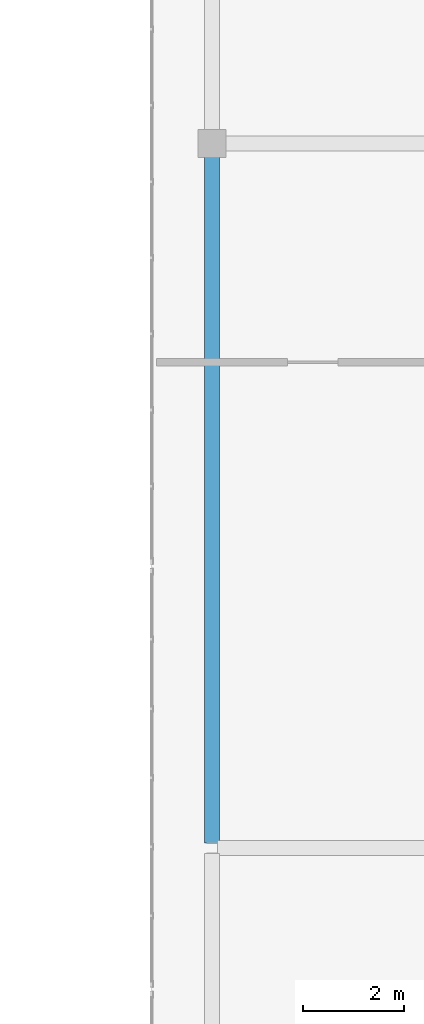
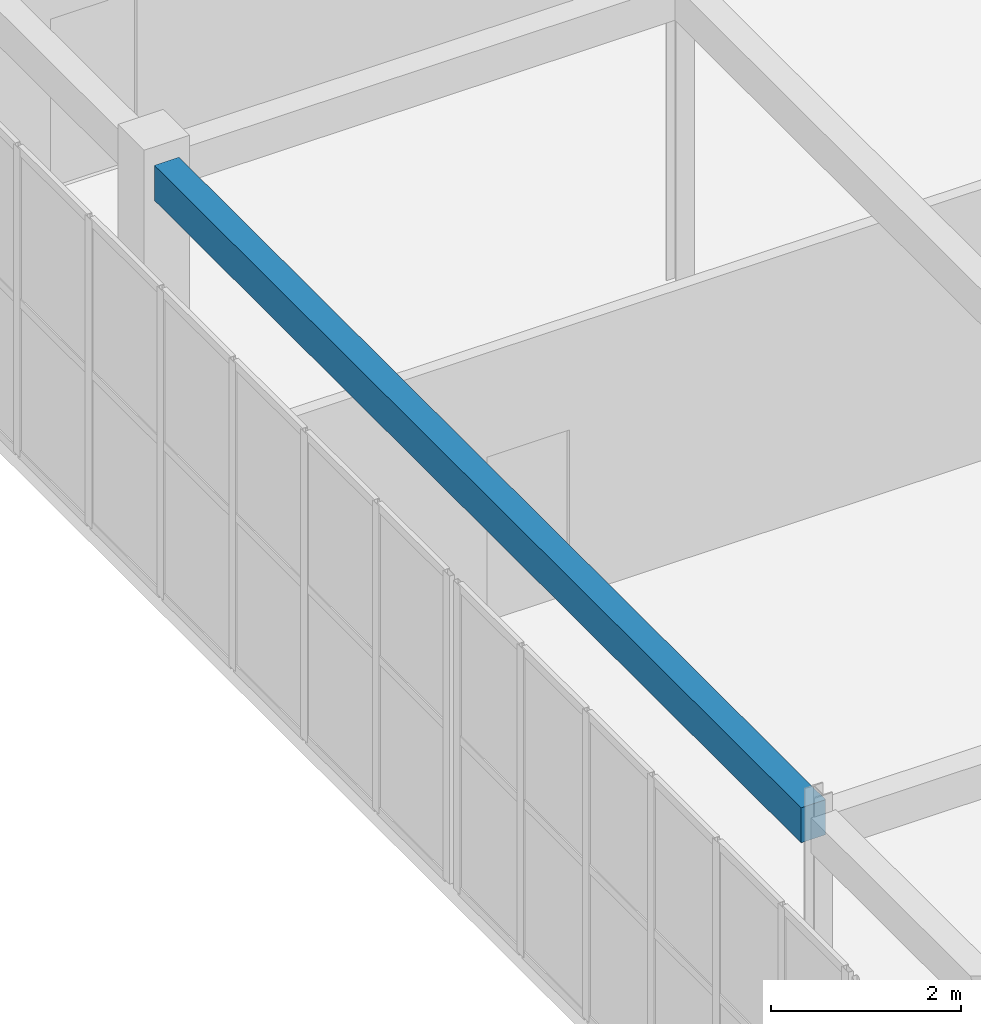
# One storey, part 20 of 140: 1 beam.
"""IFC4 building model written with IfcOpenShell, lengths in metres."""

from ifc_helpers import new_model, si_unit, direction, frame, origin, origin_2d, place, context, subcontext, project, spatial, rectangle, extrude, material, material_profile, profile_set, type_object, element, save


model = new_model("IFC4")

# Units and contexts
model_context = context("Model", 3, precision=1e-05, world=origin(), true_north=direction((0.0, 1.0)))
body_context = subcontext(model_context, "Body", "Model", "MODEL_VIEW")
ifc_project = project(units=[si_unit("LENGTHUNIT", "METRE"), si_unit("AREAUNIT", "SQUARE_METRE"), si_unit("VOLUMEUNIT", "CUBIC_METRE"), si_unit("PLANEANGLEUNIT", "RADIAN"), si_unit("MASSUNIT", "GRAM", prefix="KILO")], contexts=[model_context])

# Site, building, storey
site_placement = place(None, origin())
site = spatial("IfcSite", under=ifc_project, at=site_placement, CompositionType="ELEMENT")
building_placement = place(site_placement, origin())
building = spatial("IfcBuilding", under=site, at=building_placement, Name="Trelvath General Hospital", CompositionType="ELEMENT")
storey_placement = place(building_placement, frame((0.0, 0.0, 16.199951171875)))
storey = spatial("IfcBuildingStorey", under=building, at=storey_placement, Name="L04", CompositionType="ELEMENT", Elevation=16.199951171875)

# Beam
ifc_material = material(Name="Concrete C35/45", Category="concrete")
ifc_material_profile = material_profile(ifc_material, rectangle(XDim=0.300048828125, YDim=0.449951171875, at=origin_2d()), Name="RCB300x450")
ifc_profile_set = profile_set([ifc_material_profile], Name="Concrete C35/45")
beam_type = type_object("IfcBeamType", Name="Beam RC300x450", PredefinedType="BEAM", material=ifc_profile_set)
beam_placement = place(storey_placement, frame((54.39990234375, 44.906005859375, 3.735107421875), z_axis=(0.0, 1.0, 0.0), x_axis=(-1.0, 0.0, 0.0)))
element("IfcBeam", 1, at=beam_placement, inside=storey, type_object=beam_type, Name="Cube Interior Ring Beam CUBE-W-T1 L04", PredefinedType="BEAM", context=body_context, shape_type="SweptSolid", body=[
    extrude(rectangle(XDim=0.300048828125, YDim=0.449951171875, at=origin_2d()), origin(), (0.0, 0.0, 1.0), 13.623046875),
])

save(model, "model.ifc")
